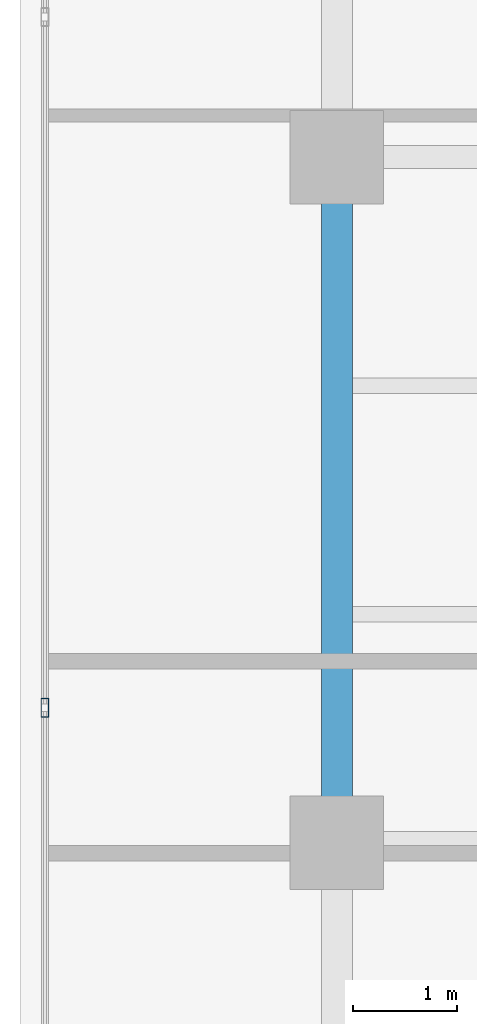
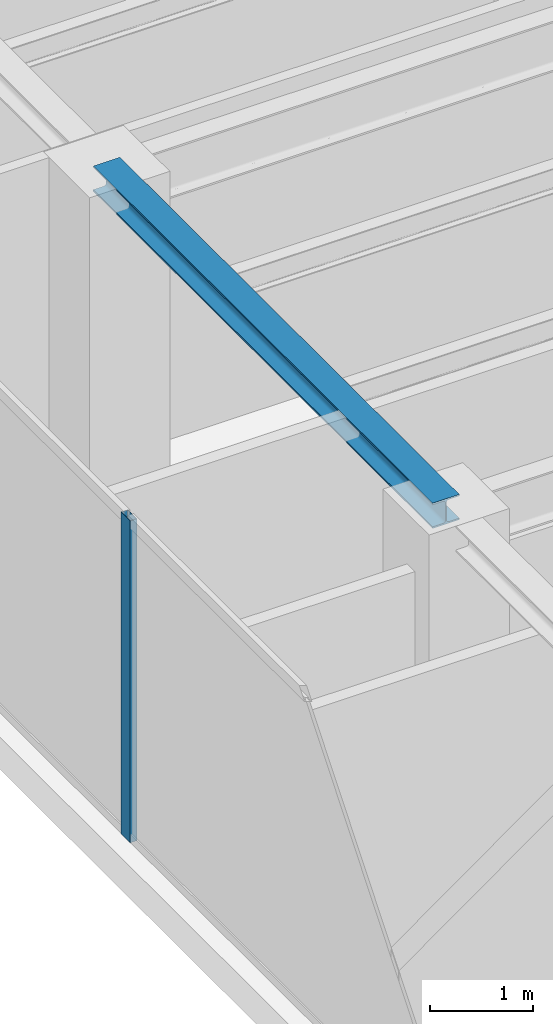
# One storey, part 11 of 32: 1 beam, 1 member, 1 element without a shape of its own.
"""IFC4 building model written with IfcOpenShell, lengths in metres."""

from ifc_helpers import new_model, si_unit, direction, frame, origin, origin_with_axes, origin_2d, place, context, subcontext, project, spatial, hollow_rectangle, i_section, extrude, source, transform, mapped, material, layer, layer_set, material_profile, profile_set, type_object, element, aggregate, save


model = new_model("IFC4")

# Units and contexts
model_context = context("Model", 3, precision=1e-05, world=origin(), true_north=direction((0.0, 1.0)))
body_context = subcontext(model_context, "Body", "Model", "MODEL_VIEW")
ifc_project = project(units=[si_unit("LENGTHUNIT", "METRE"), si_unit("AREAUNIT", "SQUARE_METRE"), si_unit("VOLUMEUNIT", "CUBIC_METRE"), si_unit("PLANEANGLEUNIT", "RADIAN"), si_unit("MASSUNIT", "GRAM", prefix="KILO")], contexts=[model_context])

# Site, building, storey
site_placement = place(None, origin())
site = spatial("IfcSite", under=ifc_project, at=site_placement, CompositionType="ELEMENT")
building_placement = place(site_placement, origin())
building = spatial("IfcBuilding", under=site, at=building_placement, Name="Kolvaren Waterfront Exchange", CompositionType="ELEMENT")
storey_placement = place(building_placement, frame((0.0, 0.0, 352.0)))
storey = spatial("IfcBuildingStorey", under=building, at=storey_placement, Name="L90", CompositionType="ELEMENT", Elevation=352.0)

# Beam
ifc_material_1 = material(Name="Steel S355", Category="steel")
ifc_material_profile_1 = material_profile(ifc_material_1, i_section(OverallWidth=0.300048828125, OverallDepth=0.300048828125, WebThickness=0.010986328125, FlangeThickness=0.01904296875, FilletRadius=0.027099609375, at=origin_2d()), Name="HEB300")
ifc_profile_set_1 = profile_set([ifc_material_profile_1], Name="Steel S355")
beam_type = type_object("IfcBeamType", Name="STR-BM-HEB300", PredefinedType="SPANDREL", material=ifc_profile_set_1)
beam_placement = place(storey_placement, frame((7.449951171875, 31.199951171875, 3.669921875), z_axis=(0.0, 1.0, 0.0), x_axis=(-1.0, 0.0, 0.0)))
element("IfcBeam", 1, at=beam_placement, inside=storey, type_object=beam_type, Name="L90 north-arm edge beam 2", PredefinedType="SPANDREL", context=body_context, shape_type="SweptSolid", body=[
    extrude(i_section(OverallWidth=0.300048828125, OverallDepth=0.300048828125, WebThickness=0.010986328125, FlangeThickness=0.01904296875, FilletRadius=0.027099609375, at=origin_2d()), origin(), (0.0, 0.0, 1.0), 6.60009765625),
])

# Curtain wall, member
ifc_material_2 = material(Name="Anodised bronze aluminium 6063-T6", Category="aluminium")
ifc_layer = layer(ifc_material_2, 0.219970703125, Name="Anodised bronze aluminium 6063-T6")
ifc_layer_set = layer_set([ifc_layer], Name="Anodised bronze aluminium 6063-T6")
curtain_wall_type = type_object("IfcCurtainWallType", Name="ARC-CW-SYS5", PredefinedType="USERDEFINED", material=ifc_layer_set)
curtain_wall_placement = place(storey_placement, origin())
curtain_wall = element("IfcCurtainWall", 2, at=curtain_wall_placement, inside=storey, type_object=curtain_wall_type, Name="L90 stick curtain wall CW5 (CW-L90-W)", ObjectType="STICK CURTAIN WALL", PredefinedType="USERDEFINED")
ifc_material_profile_2 = material_profile(ifc_material_2, hollow_rectangle(XDim=0.074951171875, YDim=0.179931640625, WallThickness=0.00439453125, at=origin_2d()), Name="ALU-MUL-180x75x4.5")
ifc_profile_set_2 = profile_set([ifc_material_profile_2], Name="Anodised bronze aluminium 6063-T6")
member_type = type_object("IfcMemberType", Name="ARC-CWM-180", PredefinedType="MULLION", material=ifc_profile_set_2)
shared_shape = source(origin_with_axes(), body_context, "Body", "SweptSolid", [
    extrude(hollow_rectangle(XDim=0.074951171875, YDim=0.179931640625, WallThickness=0.00439453125, at=origin_2d()), origin(), (0.0, 0.0, 1.0), 3.820068359375),
])
member_placement = place(storey_placement, frame((4.639892578125, 32.5, 0.0), z_axis=(0.0, 0.0, 1.0), x_axis=(-1.0, 0.0, 0.0)))
member = element("IfcMember", 3, at=member_placement, type_object=member_type, Name="CW5 mullion 5", PredefinedType="MULLION", context=body_context, shape_type="MappedRepresentation", body=[
    mapped(shared_shape, transform((0.0, 0.0, 0.0), x_axis=(1.0, 0.0, 0.0), y_axis=(0.0, 1.0, 0.0), z_axis=(0.0, 0.0, 1.0), scale=1.0)),
])
aggregate(curtain_wall, [member])

save(model, "model.ifc")
